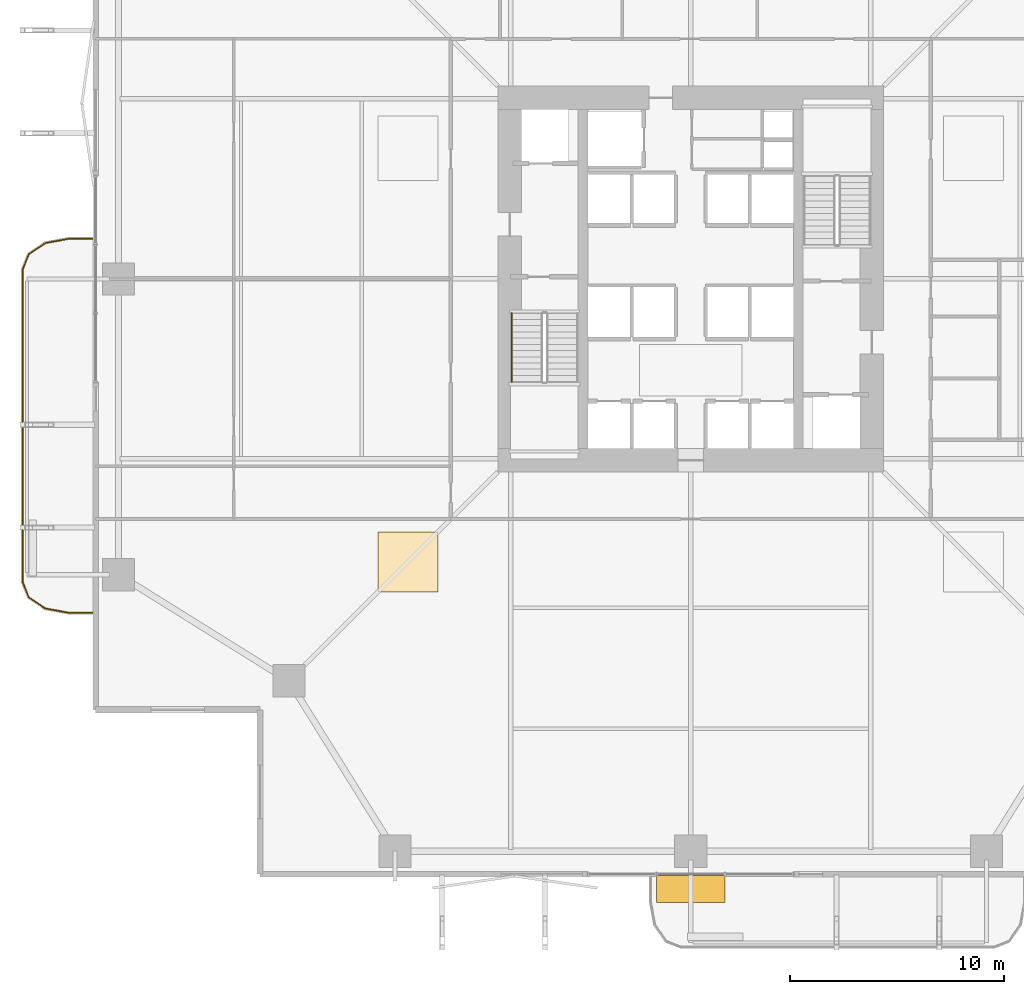
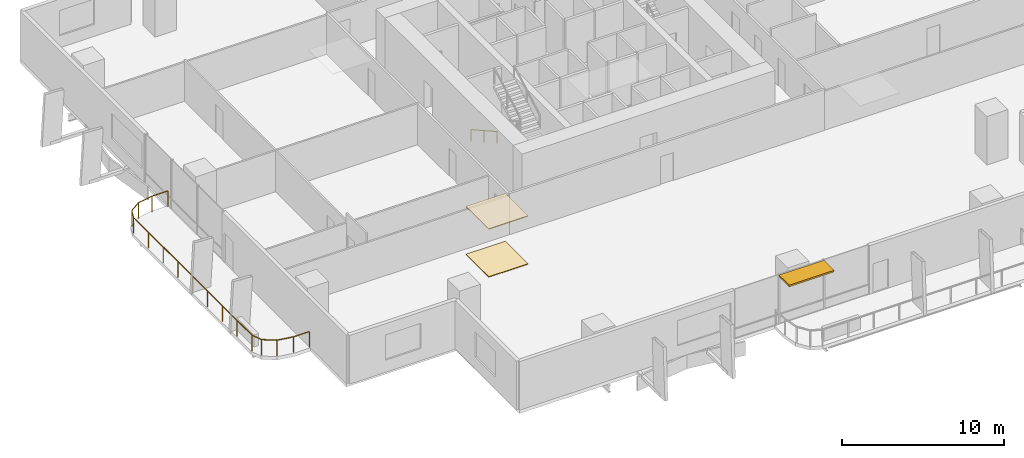
# One storey, part 21 of 24: 2 coverings, 2 railings, 1 shading device.
"""IFC4 building model written with IfcOpenShell, lengths in metres."""

from ifc_helpers import new_model, si_unit, direction, frame, origin, origin_2d, place, context, subcontext, project, spatial, polyline, rectangle, outline, extrude, material, layer, layer_set, type_object, element, save


model = new_model("IFC4")

# Units and contexts
model_context = context("Model", 3, precision=1e-05, world=origin(), true_north=direction((0.0, 1.0)))
body_context = subcontext(model_context, "Body", "Model", "MODEL_VIEW")
ifc_project = project(units=[si_unit("LENGTHUNIT", "METRE"), si_unit("AREAUNIT", "SQUARE_METRE"), si_unit("VOLUMEUNIT", "CUBIC_METRE"), si_unit("PLANEANGLEUNIT", "RADIAN"), si_unit("MASSUNIT", "GRAM", prefix="KILO")], contexts=[model_context])

# Site, building, storey
site_placement = place(None, origin())
site = spatial("IfcSite", under=ifc_project, at=site_placement, CompositionType="ELEMENT")
building_placement = place(site_placement, origin())
building = spatial("IfcBuilding", under=site, at=building_placement, Name="Belovzor Exchange Tower", CompositionType="ELEMENT")
storey_placement = place(building_placement, frame((0.0, 0.0, 45.60009765625)))
storey = spatial("IfcBuildingStorey", under=building, at=storey_placement, Name="L10", CompositionType="ELEMENT", Elevation=45.60009765625)

# Railings
ifc_material_1 = material(Name="Stainless Steel Grade 304", Category="steel")
railing_type_1 = type_object("IfcRailingType", Name="Brushed Stainless Steel Stair Handrail 900", PredefinedType="HANDRAIL", material=ifc_material_1)
railing_1_placement = place(storey_placement, frame((20.449951171875, 27.199951171875, 0.162353515625)))
element("IfcRailing", 1, at=railing_1_placement, inside=storey, type_object=railing_type_1, Name="L10 ST-1 stair handrail 1", PredefinedType="HANDRAIL", context=body_context, shape_type="SweptSolid", body=[
    extrude(rectangle(XDim=0.048095703125, YDim=0.048095703125, at=origin_2d()), frame((0.0, 0.0, 0.8759765625), z_axis=(0.0, -0.8723625253, 0.488859514025), x_axis=(1.0, 0.0, 0.0)), (0.0, 0.0, 1.0), 3.65673828125),
    extrude(rectangle(XDim=0.0419921875, YDim=0.0419921875, at=origin_2d()), origin(), (0.0, 0.0, 1.0), 0.851806640625),
    extrude(rectangle(XDim=0.0419921875, YDim=0.0419921875, at=origin_2d()), frame((0.0, -1.594970703125, 0.893798828125)), (0.0, 0.0, 1.0), 0.851806640625),
    extrude(rectangle(XDim=0.0419921875, YDim=0.0419921875, at=origin_2d()), frame((0.0, -3.18994140625, 1.78759765625)), (0.0, 0.0, 1.0), 0.851806640625),
])
ifc_material_2 = material(Name="Stainless Steel and Laminated Safety Glass", Category="steel")
railing_type_2 = type_object("IfcRailingType", Name="Laminated Glass & Stainless Steel Balcony Balustrade 1200", PredefinedType="BALUSTRADE", material=ifc_material_2)
railing_2_placement = place(storey_placement, frame((0.889892578125, 30.669921875, 0.0)))
element("IfcRailing", 2, at=railing_2_placement, inside=storey, type_object=railing_type_2, Name="GR-1 Balcony Balustrade L10 West", PredefinedType="BALUSTRADE", context=body_context, shape_type="SweptSolid", body=[
    extrude(rectangle(XDim=0.048095703125, YDim=0.048095703125, at=origin_2d()), frame((0.0, 0.0, 1.17578125), z_axis=(-1.0, 0.0, 0.0), x_axis=(0.0, -1.0, 0.0)), (0.0, 0.0, 1.0), 1.1328125),
    extrude(rectangle(XDim=0.048095703125, YDim=0.048095703125, at=origin_2d()), frame((-1.1328125, 0.0, 1.17578125), z_axis=(-0.983651385113, -0.180083182347, 0.0), x_axis=(0.180083182347, -0.983651385113, 0.0)), (0.0, 0.0, 1.0), 1.093994140625),
    extrude(rectangle(XDim=0.048095703125, YDim=0.048095703125, at=origin_2d()), frame((-2.208984375, -0.197021484375, 1.17578125), z_axis=(-0.826614792125, -0.562768145367, 0.0), x_axis=(0.562768145367, -0.826614792125, 0.0)), (0.0, 0.0, 1.0), 0.9326171875),
    extrude(rectangle(XDim=0.048095703125, YDim=0.048095703125, at=origin_2d()), frame((-2.97998046875, -0.721923828125, 1.17578125), z_axis=(-0.365612923861, -0.930766990125, 0.0), x_axis=(0.930766990125, -0.365612923861, 0.0)), (0.0, 0.0, 1.0), 0.765869140625),
    extrude(rectangle(XDim=0.048095703125, YDim=0.048095703125, at=origin_2d()), frame((-3.260009765625, -1.434814453125, 1.17578125), z_axis=(0.0, -1.0, 0.0), x_axis=(1.0, 0.0, 0.0)), (0.0, 0.0, 1.0), 14.570068359375),
    extrude(rectangle(XDim=0.048095703125, YDim=0.048095703125, at=origin_2d()), frame((-3.260009765625, -16.0048828125, 1.17578125), z_axis=(0.365504480807, -0.930809580156, 0.0), x_axis=(0.930809580156, 0.365504480807, 0.0)), (0.0, 0.0, 1.0), 0.76611328125),
    extrude(rectangle(XDim=0.048095703125, YDim=0.048095703125, at=origin_2d()), frame((-2.97998046875, -16.718017578125, 1.17578125), z_axis=(0.826614792125, -0.562768145367, 0.0), x_axis=(0.562768145367, 0.826614792125, 0.0)), (0.0, 0.0, 1.0), 0.9326171875),
    extrude(rectangle(XDim=0.048095703125, YDim=0.048095703125, at=origin_2d()), frame((-2.208984375, -17.242919921875, 1.17578125), z_axis=(0.983651385113, -0.180083182347, 0.0), x_axis=(0.180083182347, 0.983651385113, 0.0)), (0.0, 0.0, 1.0), 1.093994140625),
    extrude(rectangle(XDim=0.048095703125, YDim=0.048095703125, at=origin_2d()), frame((-1.1328125, -17.43994140625, 1.17578125), z_axis=(1.0, 0.0, 0.0), x_axis=(0.0, 1.0, 0.0)), (0.0, 0.0, 1.0), 1.1328125),
    extrude(rectangle(XDim=0.0419921875, YDim=0.0419921875, at=origin_2d()), origin(), (0.0, 0.0, 1.0), 1.15185546875),
    extrude(rectangle(XDim=0.0419921875, YDim=0.0419921875, at=origin_2d()), frame((-1.1328125, 0.0, 0.0)), (0.0, 0.0, 1.0), 1.15185546875),
    extrude(rectangle(XDim=0.0419921875, YDim=0.0419921875, at=origin_2d()), frame((-2.208984375, -0.197021484375, 0.0)), (0.0, 0.0, 1.0), 1.15185546875),
    extrude(rectangle(XDim=0.0419921875, YDim=0.0419921875, at=origin_2d()), frame((-2.97998046875, -0.721923828125, 0.0)), (0.0, 0.0, 1.0), 1.15185546875),
    extrude(rectangle(XDim=0.0419921875, YDim=0.0419921875, at=origin_2d()), frame((-3.260009765625, -1.434814453125, 0.0)), (0.0, 0.0, 1.0), 1.15185546875),
    extrude(rectangle(XDim=0.0419921875, YDim=0.0419921875, at=origin_2d()), frame((-3.260009765625, -3.256103515625, 0.0)), (0.0, 0.0, 1.0), 1.15185546875),
    extrude(rectangle(XDim=0.0419921875, YDim=0.0419921875, at=origin_2d()), frame((-3.260009765625, -5.077392578125, 0.0)), (0.0, 0.0, 1.0), 1.15185546875),
    extrude(rectangle(XDim=0.0419921875, YDim=0.0419921875, at=origin_2d()), frame((-3.260009765625, -6.898681640625, 0.0)), (0.0, 0.0, 1.0), 1.15185546875),
    extrude(rectangle(XDim=0.0419921875, YDim=0.0419921875, at=origin_2d()), frame((-3.260009765625, -8.7197265625, 0.0)), (0.0, 0.0, 1.0), 1.15185546875),
    extrude(rectangle(XDim=0.0419921875, YDim=0.0419921875, at=origin_2d()), frame((-3.260009765625, -10.541015625, 0.0)), (0.0, 0.0, 1.0), 1.15185546875),
    extrude(rectangle(XDim=0.0419921875, YDim=0.0419921875, at=origin_2d()), frame((-3.260009765625, -12.3623046875, 0.0)), (0.0, 0.0, 1.0), 1.15185546875),
    extrude(rectangle(XDim=0.0419921875, YDim=0.0419921875, at=origin_2d()), frame((-3.260009765625, -14.18359375, 0.0)), (0.0, 0.0, 1.0), 1.15185546875),
    extrude(rectangle(XDim=0.0419921875, YDim=0.0419921875, at=origin_2d()), frame((-3.260009765625, -16.0048828125, 0.0)), (0.0, 0.0, 1.0), 1.15185546875),
    extrude(rectangle(XDim=0.0419921875, YDim=0.0419921875, at=origin_2d()), frame((-2.97998046875, -16.718017578125, 0.0)), (0.0, 0.0, 1.0), 1.15185546875),
    extrude(rectangle(XDim=0.0419921875, YDim=0.0419921875, at=origin_2d()), frame((-2.208984375, -17.242919921875, 0.0)), (0.0, 0.0, 1.0), 1.15185546875),
    extrude(rectangle(XDim=0.0419921875, YDim=0.0419921875, at=origin_2d()), frame((-1.1328125, -17.43994140625, 0.0)), (0.0, 0.0, 1.0), 1.15185546875),
    extrude(rectangle(XDim=0.0419921875, YDim=0.0419921875, at=origin_2d()), frame((0.0, -17.43994140625, 0.0)), (0.0, 0.0, 1.0), 1.15185546875),
])

# Coverings
ifc_material_3 = material(Name="Perforated Powder-Coated Aluminium", Category="aluminium")
ifc_layer_1 = layer(ifc_material_3, 0.06005859375)
ifc_layer_set_1 = layer_set([ifc_layer_1], Name="Perforated Powder-Coated Aluminium")
covering_type_1 = type_object("IfcCoveringType", Name="Perforated Acoustic Metal Tile Suspended Ceiling 60", PredefinedType="CEILING", material=ifc_layer_set_1)
covering_1_placement = place(storey_placement, frame((0.0, 0.0, 3.58984375)))
element("IfcCovering", 3, at=covering_1_placement, inside=storey, type_object=covering_type_1, Name="CLG-AC60 Suspended Ceiling CLG-L10-Z0", PredefinedType="CEILING", context=body_context, shape_type="SweptSolid", body=[
    extrude(outline(polyline([(14.199951171875, 14.199951171875), (17.0, 14.199951171875), (17.0, 17.0), (14.199951171875, 17.0), (14.199951171875, 14.199951171875)])), origin(), (0.0, 0.0, 1.0), 0.06005859375),
])
ifc_material_4 = material(Name="Polished Natural Granite Tile", Category="masonry")
ifc_layer_2 = layer(ifc_material_4, 0.050048828125)
ifc_layer_set_2 = layer_set([ifc_layer_2], Name="Polished Natural Granite Tile")
covering_type_2 = type_object("IfcCoveringType", Name="Polished Karelian Granite & Raised Access Floor Finish 50", PredefinedType="FLOORING", material=ifc_layer_set_2)
covering_2_placement = place(storey_placement, origin())
element("IfcCovering", 4, at=covering_2_placement, inside=storey, type_object=covering_type_2, Name="FLR-GR50 Floor Finish FLR-L10-Z0", PredefinedType="FLOORING", context=body_context, shape_type="SweptSolid", body=[
    extrude(outline(polyline([(14.199951171875, 14.199951171875), (17.0, 14.199951171875), (17.0, 17.0), (14.199951171875, 17.0), (14.199951171875, 14.199951171875)])), origin(), (0.0, 0.0, 1.0), 0.0498046875),
])

# Shading device
ifc_material_5 = material(Name="Extruded Architectural Terracotta", Category="masonry")
ifc_layer_3 = layer(ifc_material_5, 0.1201171875)
ifc_layer_set_3 = layer_set([ifc_layer_3], Name="Extruded Architectural Terracotta")
shading_device_type = type_object("IfcShadingDeviceType", Name="Streamline Terracotta Horizontal Sunshade Hood 1250", PredefinedType="AWNING", material=ifc_layer_set_3)
shading_device_placement = place(storey_placement, frame((28.800048828125, 0.3349609375, 3.52978515625), z_axis=(0.0, 0.0, 1.0), x_axis=(1.0, 0.0, 0.0)))
element("IfcShadingDevice", 5, at=shading_device_placement, inside=storey, type_object=shading_device_type, Name="SHD-TC125 Terracotta Sunshade L10 S", PredefinedType="AWNING", context=body_context, shape_type="SweptSolid", body=[
    extrude(rectangle(XDim=3.199951171875, YDim=1.25, at=origin_2d()), origin(), (0.0, 0.0, 1.0), 0.1201171875),
])

save(model, "model.ifc")
